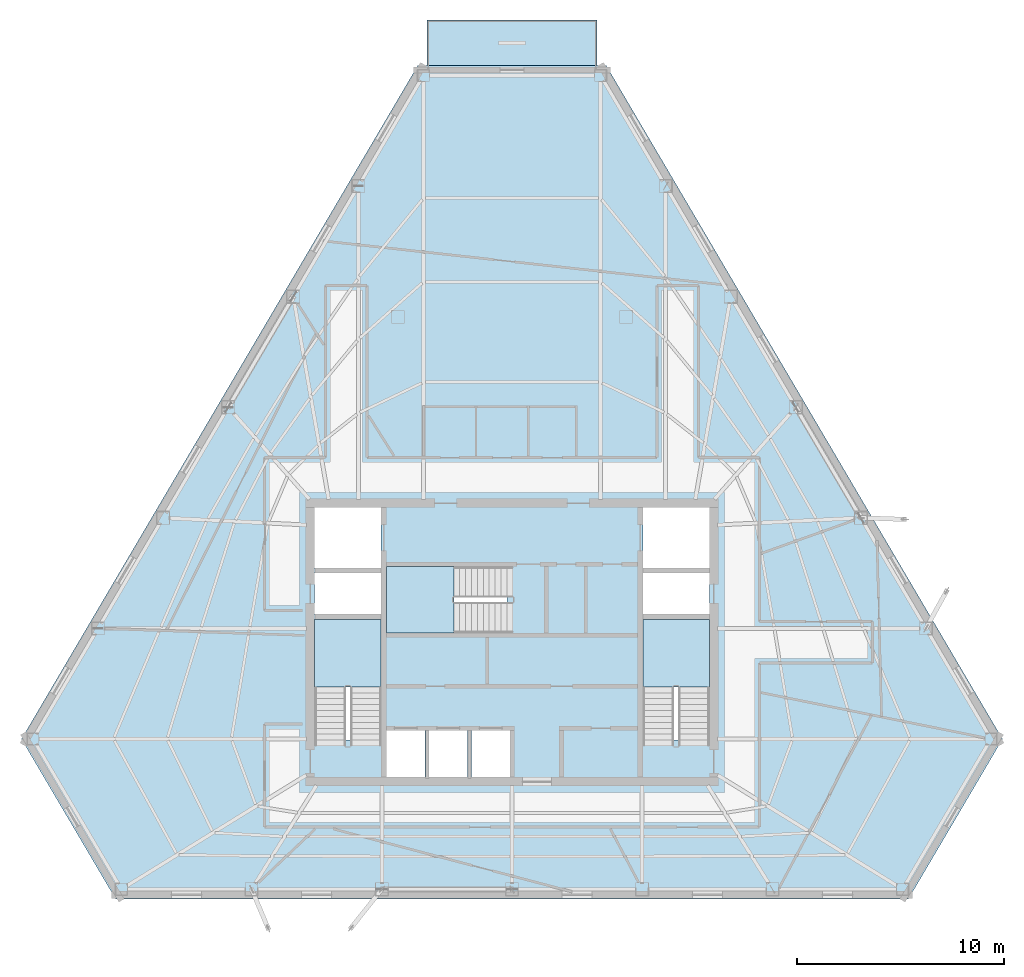
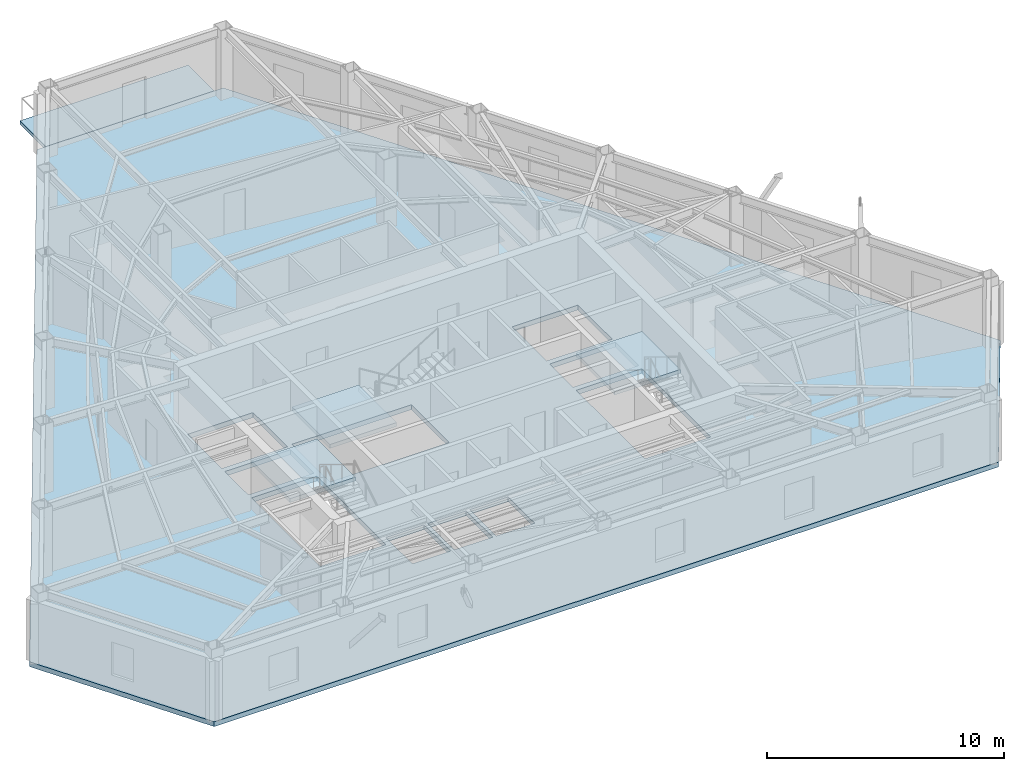
# One storey, part 3 of 12: 5 slabs, 3 elements without a shape of their own.
"""IFC4 building model written with IfcOpenShell, lengths in metres."""

from ifc_helpers import new_model, si_unit, direction, frame, origin, place, context, subcontext, project, spatial, polyline, outline, extrude, material, layer, layer_set, type_object, element, aggregate, save


model = new_model("IFC4")

# Units and contexts
model_context = context("Model", 3, precision=1e-05, world=origin(), true_north=direction((0.0, 1.0)))
body_context = subcontext(model_context, "Body", "Model", "MODEL_VIEW")
ifc_project = project(units=[si_unit("LENGTHUNIT", "METRE"), si_unit("AREAUNIT", "SQUARE_METRE"), si_unit("VOLUMEUNIT", "CUBIC_METRE"), si_unit("PLANEANGLEUNIT", "RADIAN"), si_unit("MASSUNIT", "GRAM", prefix="KILO")], contexts=[model_context])

# Site, building, storey
site_placement = place(None, origin())
site = spatial("IfcSite", under=ifc_project, at=site_placement, CompositionType="ELEMENT")
building_placement = place(site_placement, origin())
building = spatial("IfcBuilding", under=site, at=building_placement, Name="Kavelnor Concourse Tower", CompositionType="ELEMENT")
storey_placement = place(building_placement, frame((0.0, 0.0, 203.5)))
storey = spatial("IfcBuildingStorey", under=building, at=storey_placement, Name="L51", CompositionType="ELEMENT", Elevation=203.5)

# Stair, slab
ifc_material = material(Name="Concrete C40/50", Category="concrete")
stair_type = type_object("IfcStairType", Name="STR-CORE-1500", PredefinedType="HALF_TURN_STAIR", material=ifc_material)
stair_1_placement = place(storey_placement, origin())
stair_1 = element("IfcStair", 1, at=stair_1_placement, inside=storey, type_object=stair_type, Name="L51 ST1", PredefinedType="HALF_TURN_STAIR")
ifc_layer_1 = layer(ifc_material, 0.199951171875, Name="Concrete C40/50")
ifc_layer_set_1 = layer_set([ifc_layer_1], Name="Concrete C40/50")
slab_type_1 = type_object("IfcSlabType", Name="SLB-LANDING-200", PredefinedType="LANDING", material=ifc_layer_set_1)
slab_1_placement = place(storey_placement, frame((0.0, 0.0, 1.72509765625)))
slab_1 = element("IfcSlab", 2, at=slab_1_placement, type_object=slab_type_1, Name="ST1 landing 1", PredefinedType="LANDING", context=body_context, shape_type="SweptSolid", body=[
    extrude(outline(polyline([(31.679931640625, 13.949951171875), (31.679931640625, 17.199951171875), (28.47998046875, 17.199951171875), (28.47998046875, 13.949951171875), (31.679931640625, 13.949951171875)])), origin(), (0.0, 0.0, 1.0), 0.199951171875),
])
aggregate(stair_1, [slab_1])

stair_2_placement = place(storey_placement, origin())
stair_2 = element("IfcStair", 3, at=stair_2_placement, inside=storey, type_object=stair_type, Name="L51 ST2", PredefinedType="HALF_TURN_STAIR")
slab_2_placement = place(storey_placement, frame((0.0, 0.0, 1.72509765625)))
slab_2 = element("IfcSlab", 4, at=slab_2_placement, type_object=slab_type_1, Name="ST2 landing 1", PredefinedType="LANDING", context=body_context, shape_type="SweptSolid", body=[
    extrude(outline(polyline([(47.52001953125, 13.949951171875), (47.52001953125, 17.199951171875), (44.320068359375, 17.199951171875), (44.320068359375, 13.949951171875), (47.52001953125, 13.949951171875)])), origin(), (0.0, 0.0, 1.0), 0.199951171875),
])
aggregate(stair_2, [slab_2])

stair_3_placement = place(storey_placement, origin())
stair_3 = element("IfcStair", 5, at=stair_3_placement, inside=storey, type_object=stair_type, Name="L51 ST3", PredefinedType="HALF_TURN_STAIR")
slab_3_placement = place(storey_placement, frame((0.0, 0.0, 1.72509765625)))
slab_3 = element("IfcSlab", 6, at=slab_3_placement, type_object=slab_type_1, Name="ST3 landing 1", PredefinedType="LANDING", context=body_context, shape_type="SweptSolid", body=[
    extrude(outline(polyline([(35.18994140625, 19.760009765625), (31.93994140625, 19.760009765625), (31.93994140625, 16.56005859375), (35.18994140625, 16.56005859375), (35.18994140625, 19.760009765625)])), origin(), (0.0, 0.0, 1.0), 0.199951171875),
])
aggregate(stair_3, [slab_3])

# Slabs
ifc_layer_2 = layer(ifc_material, 0.25, Name="Concrete C40/50")
ifc_layer_set_2 = layer_set([ifc_layer_2], Name="Concrete C40/50")
slab_type_2 = type_object("IfcSlabType", Name="SLB-OFFICE-250", PredefinedType="FLOOR", material=ifc_layer_set_2)
slab_4_placement = place(storey_placement, frame((0.0, 0.0, -0.25)))
element("IfcSlab", 7, at=slab_4_placement, inside=storey, type_object=slab_type_2, Name="L51 Composite Structural Floor Slab", PredefinedType="FLOOR", context=body_context, shape_type="SweptSolid", body=[
    extrude(outline(polyline([(42.548828125, 43.937744140625), (33.451171875, 43.937744140625), (14.32568359375, 11.435791015625), (18.87451171875, 3.705322265625), (57.12548828125, 3.705322265625), (61.67431640625, 11.435791015625), (42.548828125, 43.937744140625)]), holes=[polyline([(28.47998046875, 11.3798828125), (31.679931640625, 11.3798828125), (31.679931640625, 17.199951171875), (28.47998046875, 17.199951171875), (28.47998046875, 11.3798828125)]), polyline([(44.320068359375, 11.3798828125), (47.52001953125, 11.3798828125), (47.52001953125, 17.199951171875), (44.320068359375, 17.199951171875), (44.320068359375, 11.3798828125)]), polyline([(31.93994140625, 16.56005859375), (37.760009765625, 16.56005859375), (37.760009765625, 19.760009765625), (31.93994140625, 19.760009765625), (31.93994140625, 16.56005859375)]), polyline([(28.47998046875, 19.699951171875), (31.679931640625, 19.699951171875), (31.679931640625, 22.60009765625), (28.47998046875, 22.60009765625), (28.47998046875, 19.699951171875)]), polyline([(44.320068359375, 19.699951171875), (47.52001953125, 19.699951171875), (47.52001953125, 22.60009765625), (44.320068359375, 22.60009765625), (44.320068359375, 19.699951171875)]), polyline([(31.93994140625, 9.60009765625), (33.81005859375, 9.60009765625), (33.81005859375, 11.840087890625), (31.93994140625, 11.840087890625), (31.93994140625, 9.60009765625)]), polyline([(33.989990234375, 9.60009765625), (35.860107421875, 9.60009765625), (35.860107421875, 11.840087890625), (33.989990234375, 11.840087890625), (33.989990234375, 9.60009765625)]), polyline([(36.0400390625, 9.60009765625), (37.909912109375, 9.60009765625), (37.909912109375, 11.840087890625), (36.0400390625, 11.840087890625), (36.0400390625, 9.60009765625)]), polyline([(28.47998046875, 17.4599609375), (31.679931640625, 17.4599609375), (31.679931640625, 19.43994140625), (28.47998046875, 19.43994140625), (28.47998046875, 17.4599609375)]), polyline([(44.320068359375, 17.4599609375), (47.52001953125, 17.4599609375), (47.52001953125, 19.43994140625), (44.320068359375, 19.43994140625), (44.320068359375, 17.4599609375)])]), origin(), (0.0, 0.0, 1.0), 0.25),
])
ifc_layer_3 = layer(ifc_material, 0.18994140625, Name="Concrete C40/50")
ifc_layer_set_3 = layer_set([ifc_layer_3], Name="Concrete C40/50")
slab_type_3 = type_object("IfcSlabType", Name="SLB-TERRACE-190", PredefinedType="FLOOR", material=ifc_layer_set_3)
slab_5_placement = place(storey_placement, frame((0.0, 0.0, -0.18994140625)))
element("IfcSlab", 8, at=slab_5_placement, inside=storey, type_object=slab_type_3, Name="L51 Spiralling Sky Terrace Slab", PredefinedType="FLOOR", context=body_context, shape_type="SweptSolid", body=[
    extrude(outline(polyline([(33.901123046875, 46.1376953125), (42.098876953125, 46.1376953125), (42.098876953125, 43.937744140625), (33.901123046875, 43.937744140625), (33.901123046875, 46.1376953125)])), origin(), (0.0, 0.0, 1.0), 0.18994140625),
])

save(model, "model.ifc")
